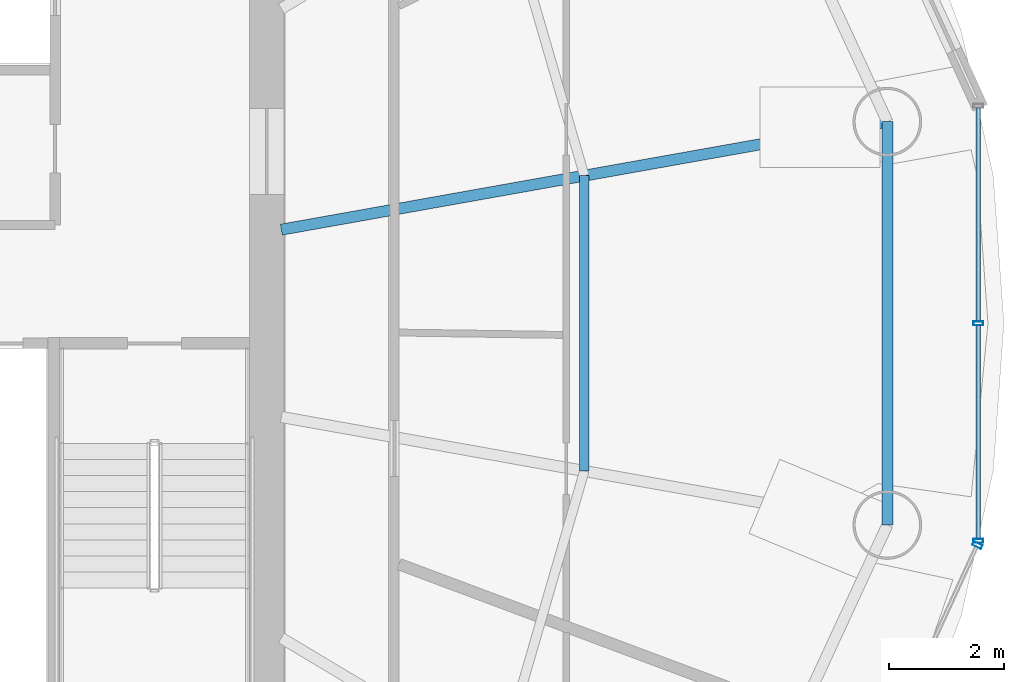
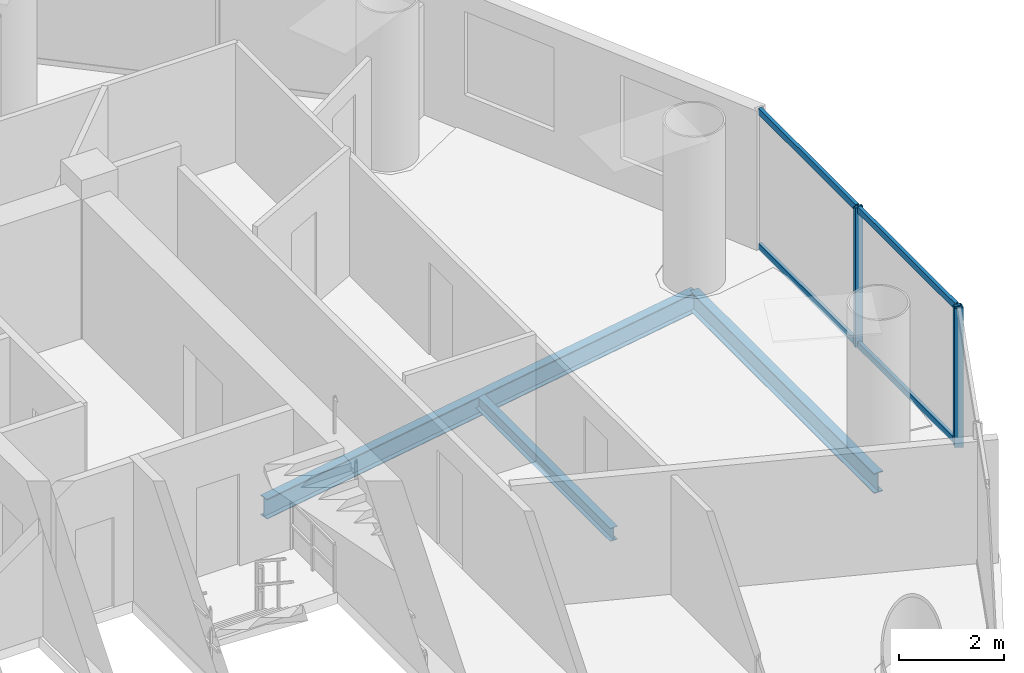
# One storey, part 12 of 26: 7 members, 3 beams, 2 elements without a shape of their own.
"""IFC4 building model written with IfcOpenShell, lengths in metres."""

import ifcopenshell
import ifcopenshell.guid

model = None  # the IFC model being written
_history = None  # IfcOwnerHistory: only IFC2X3 demands one
_inside = {}  # id of a spatial element -> (the spatial element, [elements in it])
_under = {}  # id of a project, library or spatial element -> (it, [spatial elements below it])
_declared = {}  # id of a project -> (the project, [libraries it declares])
_typed = {}  # id of a type object -> (the type object, [elements of that type])
_made_of = {}  # id of a material, layer set ... -> (it, [elements and type objects made of it])


def new_model(schema):
    """Start an empty IFC model of exactly this schema.

    Asked for "IFC4X3", IfcOpenShell would pick the latest addendum, in which some entities
    have other attributes; the version numbers below select the first issue.
    IFC2X3 requires an IfcOwnerHistory on every rooted entity: one is made here for all.
    """
    global model, _history
    if schema == "IFC4X3":
        model = ifcopenshell.file(schema_version=(4, 3, 0, 0))
    else:
        model = ifcopenshell.file(schema=schema)
    _inside.clear()
    _under.clear()
    _declared.clear()
    _typed.clear()
    _made_of.clear()
    _history = None
    if model.schema == "IFC2X3":
        org = make("IfcOrganization", Name="unknown")
        user = make(
            "IfcPersonAndOrganization",
            ThePerson=make("IfcPerson", FamilyName="unknown"),
            TheOrganization=org,
        )
        app = make(
            "IfcApplication",
            ApplicationDeveloper=org,
            Version="unknown",
            ApplicationFullName="unknown",
            ApplicationIdentifier="unknown",
        )
        _history = make(
            "IfcOwnerHistory",
            OwningUser=user,
            OwningApplication=app,
            ChangeAction="ADDED",
            CreationDate=0,
        )
    return model


def make(cls, **values):
    """One entity of the class cls with the attributes given. An attribute that is None is left unset."""
    return model.create_entity(
        cls, **{name: value for name, value in values.items() if value is not None}
    )


def rooted(cls, **values):
    """An entity with a GlobalId (a new one), such as an element, a storey or a relation."""
    return make(cls, GlobalId=ifcopenshell.guid.new(), OwnerHistory=_history, **values)


def si_unit(unit_type, name, prefix=None):
    """IfcSIUnit, for example si_unit("LENGTHUNIT", "METRE", prefix="MILLI")."""
    return make("IfcSIUnit", UnitType=unit_type, Prefix=prefix, Name=name)


def assignment(units):
    """IfcUnitAssignment: the units of a project."""
    return None if units is None else make("IfcUnitAssignment", Units=units)


def point(xyz):
    """IfcCartesianPoint."""
    return None if xyz is None else make("IfcCartesianPoint", Coordinates=xyz)


def direction(xyz):
    """IfcDirection."""
    return None if xyz is None else make("IfcDirection", DirectionRatios=xyz)


def frame(location, z_axis=None, x_axis=None):
    """IfcAxis2Placement3D, a coordinate frame: its origin and axes. An axis left out is left unset."""
    return make(
        "IfcAxis2Placement3D",
        Location=point(location),
        Axis=direction(z_axis),
        RefDirection=direction(x_axis),
    )


def frame_2d(location, x_axis=None):
    """IfcAxis2Placement2D, a coordinate frame in the plane: its origin and x axis."""
    return make(
        "IfcAxis2Placement2D", Location=point(location), RefDirection=direction(x_axis)
    )


def origin():
    """The frame at (0, 0, 0) with its axes left unset."""
    return frame((0.0, 0.0, 0.0))


def origin_2d():
    """The frame at (0, 0) in the plane with its x axis left unset."""
    return frame_2d((0.0, 0.0))


def place(relative_to, where):
    """IfcLocalPlacement: puts the frame where relative to a parent placement (None: the world)."""
    return make(
        "IfcLocalPlacement", PlacementRelTo=relative_to, RelativePlacement=where
    )


def context(
    kind, dimensions, precision=None, world=None, true_north=None, identifier=None
):
    """IfcGeometricRepresentationContext, for example the 3D "Model" context."""
    return make(
        "IfcGeometricRepresentationContext",
        ContextIdentifier=identifier,
        ContextType=kind,
        CoordinateSpaceDimension=dimensions,
        Precision=precision,
        WorldCoordinateSystem=world,
        TrueNorth=true_north,
    )


def subcontext(parent, identifier, kind, view, scale=None):
    """IfcGeometricRepresentationSubContext, for example "Body" below "Model"."""
    return make(
        "IfcGeometricRepresentationSubContext",
        ContextIdentifier=identifier,
        ContextType=kind,
        ParentContext=parent,
        TargetScale=scale,
        TargetView=view,
    )


def project(units=None, contexts=None):
    """IfcProject with its units and contexts."""
    return rooted(
        "IfcProject",
        Name="project",
        RepresentationContexts=contexts,
        UnitsInContext=assignment(units),
    )


def spatial(cls, under=None, at=None, **own):
    """A site, building, storey or space (cls), placed at a placement, below another one or the project."""
    s = rooted(cls, ObjectPlacement=at, **own)
    if under is not None:
        _under.setdefault(under.id(), (under, []))[1].append(s)
    return s


def profile(cls, at=None, kind="AREA", **sizes):
    """A parametric profile (cls). Its sizes go by their IFC names, for example OverallWidth=200.0."""
    return make(cls, ProfileType=kind, Position=at, **sizes)


def hollow_rectangle(**sizes):
    """IfcRectangleHollowProfileDef."""
    return profile("IfcRectangleHollowProfileDef", **sizes)


def i_section(**sizes):
    """IfcIShapeProfileDef."""
    return profile("IfcIShapeProfileDef", **sizes)


def extrude(swept, where, along, depth):
    """IfcExtrudedAreaSolid: the profile swept, set in the frame where, extruded along a direction by depth."""
    return make(
        "IfcExtrudedAreaSolid",
        SweptArea=swept,
        Position=where,
        ExtrudedDirection=direction(along),
        Depth=depth,
    )


def shape(context_of_items, identifier, shape_type, items):
    """IfcShapeRepresentation: the items that make up one representation, for example the "Body"."""
    return make(
        "IfcShapeRepresentation",
        ContextOfItems=context_of_items,
        RepresentationIdentifier=identifier,
        RepresentationType=shape_type,
        Items=items,
    )


def source(mapping_origin, context_of_items, identifier, shape_type, items):
    """IfcRepresentationMap: a shape defined once, which mapped items show again and again."""
    return make(
        "IfcRepresentationMap",
        MappingOrigin=mapping_origin,
        MappedRepresentation=shape(context_of_items, identifier, shape_type, items),
    )


def transform(
    local_origin,
    x_axis=None,
    y_axis=None,
    z_axis=None,
    scale=None,
    scale2=None,
    scale3=None,
    uniform=True,
):
    """IfcCartesianTransformationOperator3D, or its non-uniform kind. x_axis, y_axis, z_axis: its Axis1, 2, 3."""
    if uniform:
        return make(
            "IfcCartesianTransformationOperator3D",
            Axis1=direction(x_axis),
            Axis2=direction(y_axis),
            LocalOrigin=point(local_origin),
            Scale=scale,
            Axis3=direction(z_axis),
        )
    return make(
        "IfcCartesianTransformationOperator3DnonUniform",
        Axis1=direction(x_axis),
        Axis2=direction(y_axis),
        LocalOrigin=point(local_origin),
        Scale=scale,
        Axis3=direction(z_axis),
        Scale2=scale2,
        Scale3=scale3,
    )


def mapped(mapping_source, mapping_target):
    """IfcMappedItem: shows the shape of a source again, moved by a transform."""
    return make(
        "IfcMappedItem", MappingSource=mapping_source, MappingTarget=mapping_target
    )


def material(Name=None, Category=None):
    """IfcMaterial."""
    return make("IfcMaterial", Name=Name, Category=Category)


def material_profile(
    of_material, cross_section, Name=None, Category=None, Priority=None
):
    """IfcMaterialProfile: a cross section and its material."""
    return make(
        "IfcMaterialProfile",
        Name=Name,
        Material=of_material,
        Profile=cross_section,
        Priority=Priority,
        Category=Category,
    )


def profile_set(profiles, Name=None, composite=None):
    """IfcMaterialProfileSet."""
    return make(
        "IfcMaterialProfileSet",
        Name=Name,
        MaterialProfiles=profiles,
        CompositeProfile=composite,
    )


def made_of(thing, what):
    """Note that an element or type object is made of a material, layer set ...; save() writes the relation."""
    if what is not None:
        _made_of.setdefault(what.id(), (what, []))[1].append(thing)
    return thing


def type_object(cls, material=None, **own):
    """A type object (cls), such as IfcWallType, which elements share."""
    return made_of(rooted(cls, **own), material)


def element(
    cls,
    number,
    at=None,
    inside=None,
    cuts=None,
    type_object=None,
    material=None,
    context=None,
    identifier="Body",
    shape_type=None,
    held_by="IfcProductDefinitionShape",
    body=None,
    shapes=None,
    **own,
):
    """One element of the class cls, such as IfcWall. Its Tag is "e" and its number.

    at: its placement. inside: the storey or other place that contains it. cuts: it is an
    opening in that element (IfcRelVoidsElement). A single representation is given by context,
    identifier, shape_type and body (its items); several are given by shapes. held_by: the class
    of the entity that holds the representations. save() writes the other relations.
    """
    e = rooted(cls, Tag="e%d" % number, ObjectPlacement=at, **own)
    if body is not None:
        shapes = [shape(context, identifier, shape_type, body)]
    if shapes is not None:
        e.Representation = make(held_by, Representations=shapes)
    if inside is not None:
        _inside.setdefault(inside.id(), (inside, []))[1].append(e)
    if cuts is not None:
        rooted(
            "IfcRelVoidsElement", RelatingBuildingElement=cuts, RelatedOpeningElement=e
        )
    if type_object is not None:
        _typed.setdefault(type_object.id(), (type_object, []))[1].append(e)
    return made_of(e, material)


def aggregate(whole, parts):
    """IfcRelAggregates: a whole, such as a stair, and the parts it consists of."""
    return rooted("IfcRelAggregates", RelatingObject=whole, RelatedObjects=parts)


def save(model, path):
    """Write the relations noted so far, then the file.

    IfcRelAggregates (storeys below a building ...), IfcRelContainedInSpatialStructure (elements
    in a storey), IfcRelDefinesByType, IfcRelAssociatesMaterial and IfcRelDeclares: one each for
    every whole, place, type object, material and project.
    """
    for whole, parts in _under.values():
        aggregate(whole, parts)
    for where, things in _inside.values():
        rooted(
            "IfcRelContainedInSpatialStructure",
            RelatedElements=things,
            RelatingStructure=where,
        )
    for kind, things in _typed.values():
        rooted("IfcRelDefinesByType", RelatedObjects=things, RelatingType=kind)
    for what, things in _made_of.values():
        rooted("IfcRelAssociatesMaterial", RelatedObjects=things, RelatingMaterial=what)
    for by, libraries in _declared.values():
        rooted("IfcRelDeclares", RelatingContext=by, RelatedDefinitions=libraries)
    model.write(path)


model = new_model("IFC4")

# Units and contexts
model_context = context("Model", 3, precision=1e-05, world=origin(), true_north=direction((-0.2419218956, 0.970295726276)))
body_context = subcontext(model_context, "Body", "Model", "MODEL_VIEW")
ifc_project = project(units=[si_unit("LENGTHUNIT", "METRE"), si_unit("AREAUNIT", "SQUARE_METRE"), si_unit("VOLUMEUNIT", "CUBIC_METRE"), si_unit("PLANEANGLEUNIT", "RADIAN"), si_unit("MASSUNIT", "GRAM", prefix="KILO")], contexts=[model_context])

# Site, building, storey
site_placement = place(None, origin())
site = spatial("IfcSite", under=ifc_project, at=site_placement, CompositionType="ELEMENT")
building_placement = place(site_placement, origin())
building = spatial("IfcBuilding", under=site, at=building_placement, Name="Cobrevalo Terracotta Tower", CompositionType="ELEMENT")
storey_placement = place(building_placement, frame((0.0, 0.0, 239.300048828125)))
storey = spatial("IfcBuildingStorey", under=building, at=storey_placement, Name="L63", CompositionType="ELEMENT", Elevation=239.300048828125)

# Beams
ifc_material_1 = material(Name="Steel S355", Category="steel")
ifc_material_profile_1 = material_profile(ifc_material_1, i_section(OverallWidth=0.194091796875, OverallDepth=0.468994140625, WebThickness=0.011474609375, FlangeThickness=0.0205078125, at=origin_2d()), Name="W 460x106")
ifc_profile_set_1 = profile_set([ifc_material_profile_1], Name="Steel S355")
beam_type_1 = type_object("IfcBeamType", Name="Structural Beam W 460x106 (Steel S355)", PredefinedType="BEAM", material=ifc_profile_set_1)
beam_1_placement = place(storey_placement, frame((57.762939453125, 30.3212890625, -0.49951171875), z_axis=(-0.98449712063, -0.175400739656, 0.0), x_axis=(0.175400739656, -0.98449712063, 0.0)))
element("IfcBeam", 1, at=beam_1_placement, inside=storey, type_object=beam_type_1, Name="L63 radial floor girder 01", PredefinedType="BEAM", context=body_context, shape_type="SweptSolid", body=[
    extrude(i_section(OverallWidth=0.194091796875, OverallDepth=0.468994140625, WebThickness=0.011474609375, FlangeThickness=0.0205078125, at=origin_2d()), origin(), (0.0, 0.0, 1.0), 10.749755859375),
])
ifc_material_profile_2 = material_profile(ifc_material_1, i_section(OverallWidth=0.1650390625, OverallDepth=0.31005859375, WebThickness=0.005859375, FlangeThickness=0.009765625, at=origin_2d()), Name="W 310x38.7")
ifc_profile_set_2 = profile_set([ifc_material_profile_2], Name="Steel S355")
beam_type_2 = type_object("IfcBeamType", Name="Structural Joist W 310x38.7 (Steel S355)", PredefinedType="JOIST", material=ifc_profile_set_2)
beam_2_placement = place(storey_placement, frame((52.471435546875, 24.221435546875, -0.420166015625), z_axis=(0.0, 1.0, 0.0), x_axis=(-1.0, 0.0, 0.0)))
element("IfcBeam", 2, at=beam_2_placement, inside=storey, type_object=beam_type_2, Name="L63 circumferential secondary floor joist 16", PredefinedType="JOIST", context=body_context, shape_type="SweptSolid", body=[
    extrude(i_section(OverallWidth=0.1650390625, OverallDepth=0.31005859375, WebThickness=0.005859375, FlangeThickness=0.009765625, at=origin_2d()), origin(), (0.0, 0.0, 1.0), 5.1572265625),
])
ifc_material_profile_3 = material_profile(ifc_material_1, i_section(OverallWidth=0.194091796875, OverallDepth=0.468994140625, WebThickness=0.011474609375, FlangeThickness=0.0205078125, at=origin_2d()), Name="W 460x106")
ifc_profile_set_3 = profile_set([ifc_material_profile_3], Name="Steel S355")
beam_type_3 = type_object("IfcBeamType", Name="Structural Spandrel W 460x106 (Steel S355)", PredefinedType="SPANDREL", material=ifc_profile_set_3)
beam_3_placement = place(storey_placement, frame((57.762939453125, 23.278564453125, -0.49951171875), z_axis=(0.0, 1.0, 0.0), x_axis=(-1.0, 0.0, 0.0)))
element("IfcBeam", 3, at=beam_3_placement, inside=storey, type_object=beam_type_3, Name="L63 perimeter ring spandrel 16", PredefinedType="SPANDREL", context=body_context, shape_type="SweptSolid", body=[
    extrude(i_section(OverallWidth=0.194091796875, OverallDepth=0.468994140625, WebThickness=0.011474609375, FlangeThickness=0.0205078125, at=origin_2d()), origin(), (0.0, 0.0, 1.0), 7.042724609375),
])

# Curtain wall, members
ifc_material_2 = material(Name="Anodized aluminium", Category="aluminium")
curtain_wall_type = type_object("IfcCurtainWallType", Name="Mid-tower high-wind unitised curtain wall CW-U2", PredefinedType="NOTDEFINED", material=ifc_material_2)
curtain_wall_1_placement = place(storey_placement, origin())
curtain_wall_1 = element("IfcCurtainWall", 4, at=curtain_wall_1_placement, inside=storey, type_object=curtain_wall_type, Name="L63 curtain wall CW-L63-S16", PredefinedType="NOTDEFINED")
ifc_material_profile_4 = material_profile(ifc_material_2, hollow_rectangle(XDim=0.074951171875, YDim=0.14990234375, WallThickness=0.00439453125, at=origin_2d()), Name="CWT 75x150")
ifc_profile_set_4 = profile_set([ifc_material_profile_4], Name="Anodized aluminium")
member_type_1 = type_object("IfcMemberType", Name="Tower unitised aluminium transom 75x150", PredefinedType="USERDEFINED", material=ifc_profile_set_4)
shared_shape_1 = source(origin(), body_context, "Body", "SweptSolid", [
    extrude(hollow_rectangle(XDim=0.074951171875, YDim=0.14990234375, WallThickness=0.00439453125, at=origin_2d()), origin(), (0.0, 0.0, 1.0), 3.71728515625),
])
member_1_placement = place(storey_placement, frame((59.351806640625, 26.840087890625, 0.050048828125), z_axis=(0.0, 1.0, 0.0), x_axis=(-1.0, 0.0, 0.0)))
member_1 = element("IfcMember", 5, at=member_1_placement, type_object=member_type_1, Name="CW-L63-S16 transom B02-T1", ObjectType="TRANSOM", PredefinedType="USERDEFINED", context=body_context, shape_type="MappedRepresentation", body=[
    mapped(shared_shape_1, transform((0.0, 0.0, 0.0), scale=1.0)),
])
member_2_placement = place(storey_placement, frame((59.351806640625, 26.840087890625, 3.199951171875), z_axis=(0.0, 1.0, 0.0), x_axis=(-1.0, 0.0, 0.0)))
member_2 = element("IfcMember", 6, at=member_2_placement, type_object=member_type_1, Name="CW-L63-S16 transom B02-T2", ObjectType="TRANSOM", PredefinedType="USERDEFINED", context=body_context, shape_type="MappedRepresentation", body=[
    mapped(shared_shape_1, transform((0.0, 0.0, 0.0), scale=1.0)),
])
shared_shape_2 = source(origin(), body_context, "Body", "SweptSolid", [
    extrude(hollow_rectangle(XDim=0.074951171875, YDim=0.14990234375, WallThickness=0.00439453125, at=origin_2d()), origin(), (0.0, 0.0, 1.0), 3.717529296875),
])
member_3_placement = place(storey_placement, frame((59.351806640625, 23.04248046875, 0.050048828125), z_axis=(0.0, 1.0, 0.0), x_axis=(-1.0, 0.0, 0.0)))
member_3 = element("IfcMember", 7, at=member_3_placement, type_object=member_type_1, Name="CW-L63-S16 transom B01-T1", ObjectType="TRANSOM", PredefinedType="USERDEFINED", context=body_context, shape_type="MappedRepresentation", body=[
    mapped(shared_shape_2, transform((0.0, 0.0, 0.0), scale=1.0)),
])
member_4_placement = place(storey_placement, frame((59.351806640625, 23.04248046875, 3.199951171875), z_axis=(0.0, 1.0, 0.0), x_axis=(-1.0, 0.0, 0.0)))
member_4 = element("IfcMember", 8, at=member_4_placement, type_object=member_type_1, Name="CW-L63-S16 transom B01-T2", ObjectType="TRANSOM", PredefinedType="USERDEFINED", context=body_context, shape_type="MappedRepresentation", body=[
    mapped(shared_shape_2, transform((0.0, 0.0, 0.0), scale=1.0)),
])

# Curtain wall, member
curtain_wall_2_placement = place(storey_placement, origin())
curtain_wall_2 = element("IfcCurtainWall", 9, at=curtain_wall_2_placement, inside=storey, type_object=curtain_wall_type, Name="L63 curtain wall CW-L63-S15", PredefinedType="NOTDEFINED")
ifc_material_profile_5 = material_profile(ifc_material_2, hollow_rectangle(XDim=0.070068359375, YDim=0.169921875, WallThickness=0.00439453125, at=origin_2d()), Name="CWM 70x170")
ifc_profile_set_5 = profile_set([ifc_material_profile_5], Name="Anodized aluminium")
member_type_2 = type_object("IfcMemberType", Name="Upper tower unitised mullion 70x170", PredefinedType="MULLION", material=ifc_profile_set_5)
shared_shape_3 = source(origin(), body_context, "Body", "SweptSolid", [
    extrude(hollow_rectangle(XDim=0.070068359375, YDim=0.169921875, WallThickness=0.00439453125, at=origin_2d()), origin(), (0.0, 0.0, 1.0), 3.25),
])
member_5_placement = place(storey_placement, frame((59.3349609375, 22.92626953125, 0.0), z_axis=(0.0, 0.0, 1.0), x_axis=(0.41672507912, 0.909032567311, 0.0)))
member_5 = element("IfcMember", 10, at=member_5_placement, type_object=member_type_2, Name="CW-L63-S15 vertical mullion 03", PredefinedType="MULLION", context=body_context, shape_type="MappedRepresentation", body=[
    mapped(shared_shape_3, transform((0.0, 0.0, 0.0), scale=1.0)),
])
aggregate(curtain_wall_2, [member_5])

# Member
member_6_placement = place(storey_placement, frame((59.351806640625, 23.002685546875, 0.0), z_axis=(0.0, 0.0, 1.0), x_axis=(0.0, 1.0, 0.0)))
member_6 = element("IfcMember", 11, at=member_6_placement, type_object=member_type_2, Name="CW-L63-S16 vertical mullion 01", PredefinedType="MULLION", context=body_context, shape_type="MappedRepresentation", body=[
    mapped(shared_shape_3, transform((0.0, 0.0, 0.0), scale=1.0)),
])

member_7_placement = place(storey_placement, frame((59.351806640625, 26.800048828125, 0.0), z_axis=(0.0, 0.0, 1.0), x_axis=(0.0, 1.0, 0.0)))
member_7 = element("IfcMember", 12, at=member_7_placement, type_object=member_type_2, Name="CW-L63-S16 vertical mullion 02", PredefinedType="MULLION", context=body_context, shape_type="MappedRepresentation", body=[
    mapped(shared_shape_3, transform((0.0, 0.0, 0.0), scale=1.0)),
])

aggregate(curtain_wall_1, [member_6, member_7, member_3, member_4, member_1, member_2])

save(model, "model.ifc")
